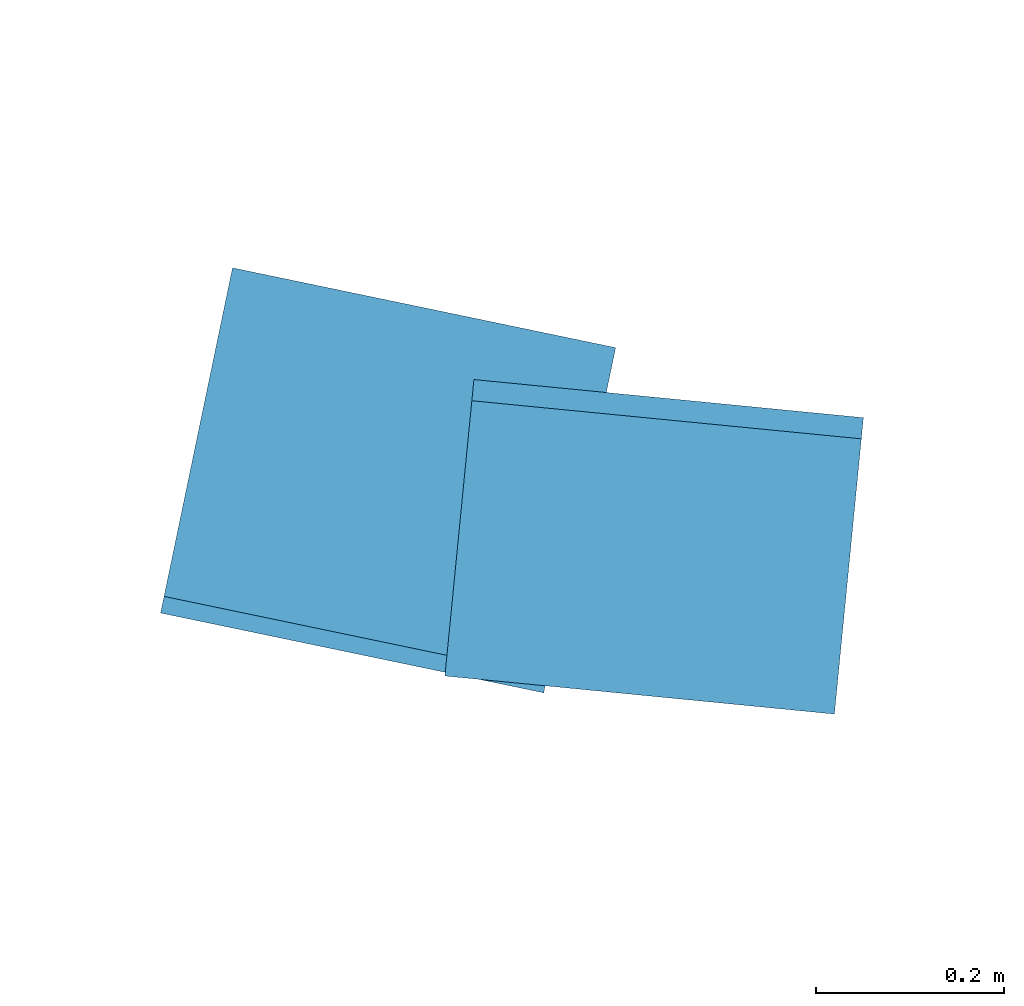
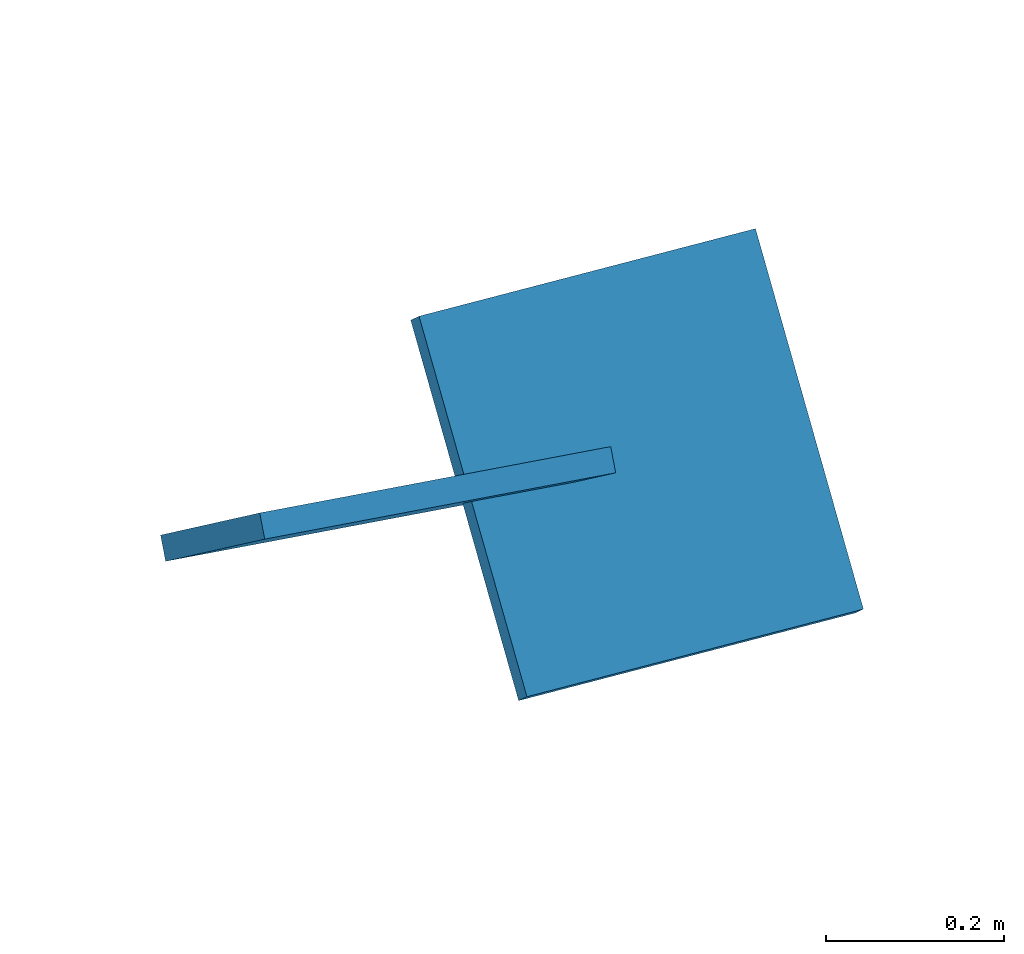
# One storey, part 19 of 25: 2 discrete accessories.
"""IFC4 building model written with IfcOpenShell, lengths in metres."""

from ifc_helpers import new_model, si_unit, direction, frame, origin, origin_2d, place, context, subcontext, project, spatial, rectangle, extrude, material, material_profile, profile_set, type_object, element, save


model = new_model("IFC4")

# Units and contexts
model_context = context("Model", 3, precision=1e-05, world=origin(), true_north=direction((0.0, 1.0)))
body_context = subcontext(model_context, "Body", "Model", "MODEL_VIEW")
ifc_project = project(units=[si_unit("LENGTHUNIT", "METRE"), si_unit("AREAUNIT", "SQUARE_METRE"), si_unit("VOLUMEUNIT", "CUBIC_METRE"), si_unit("PLANEANGLEUNIT", "RADIAN"), si_unit("MASSUNIT", "GRAM", prefix="KILO")], contexts=[model_context])

# Site, building, storey
site_placement = place(None, origin())
site = spatial("IfcSite", under=ifc_project, at=site_placement, CompositionType="ELEMENT")
building_placement = place(site_placement, origin())
building = spatial("IfcBuilding", under=site, at=building_placement, Name="Alderwake Tower", CompositionType="ELEMENT")
storey_placement = place(building_placement, frame((0.0, 0.0, 288.800048828125)))
storey = spatial("IfcBuildingStorey", under=building, at=storey_placement, Name="L72", CompositionType="ELEMENT", Elevation=288.800048828125)

# Discrete accessories
ifc_material = material(Name="Steel ASTM A572 Grade 50", Category="steel")
ifc_material_profile = material_profile(ifc_material, rectangle(XDim=0.41552734375, YDim=0.445556640625, at=origin_2d()), Name="W14X342 cap")
ifc_profile_set = profile_set([ifc_material_profile], Name="Steel ASTM A572 Grade 50")
discrete_accessory_type = type_object("IfcDiscreteAccessoryType", Name="End cap plate W14X342", PredefinedType="USERDEFINED", material=ifc_profile_set)
for number, where, z_axis, x_axis, name in (
    (1, (57.2041015625, 36.7412109375, 0.0), (0.122421449333, 0.587622956801, 0.799820135645), (-0.978980419738, 0.203954254112, 0.0), "End cap BRF5.2.2A N"),
    (2, (57.489501953125, 36.690673828125, 0.0), (-0.07322641444, -0.748536680943, 0.65903772996), (0.995249100669, -0.097361325065, 0.0), "End cap BRF5.2.4B2 N"),
):
    element("IfcDiscreteAccessory", number, at=place(storey_placement, frame(where, z_axis=z_axis, x_axis=x_axis)), inside=storey, type_object=discrete_accessory_type, Name=name, ObjectType="END CAP", PredefinedType="USERDEFINED", context=body_context, shape_type="SweptSolid", body=[
        extrude(rectangle(XDim=0.41552734375, YDim=0.445556640625, at=origin_2d()), origin(), (0.0, 0.0, 1.0), 0.030029296875),
    ])

save(model, "model.ifc")
